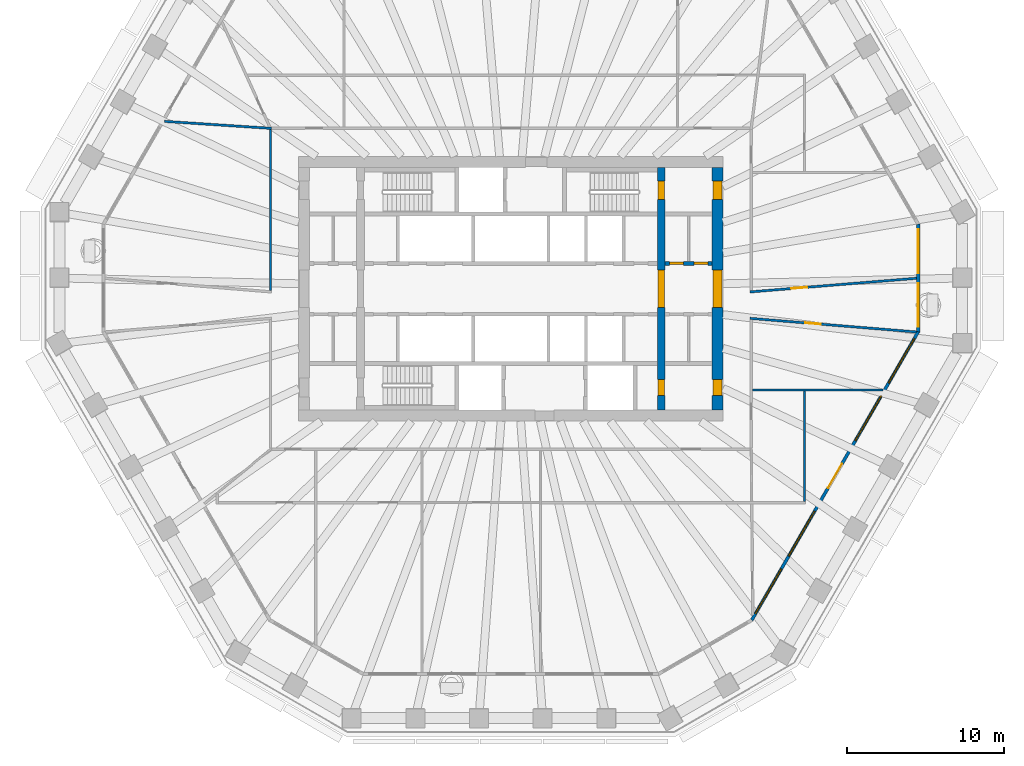
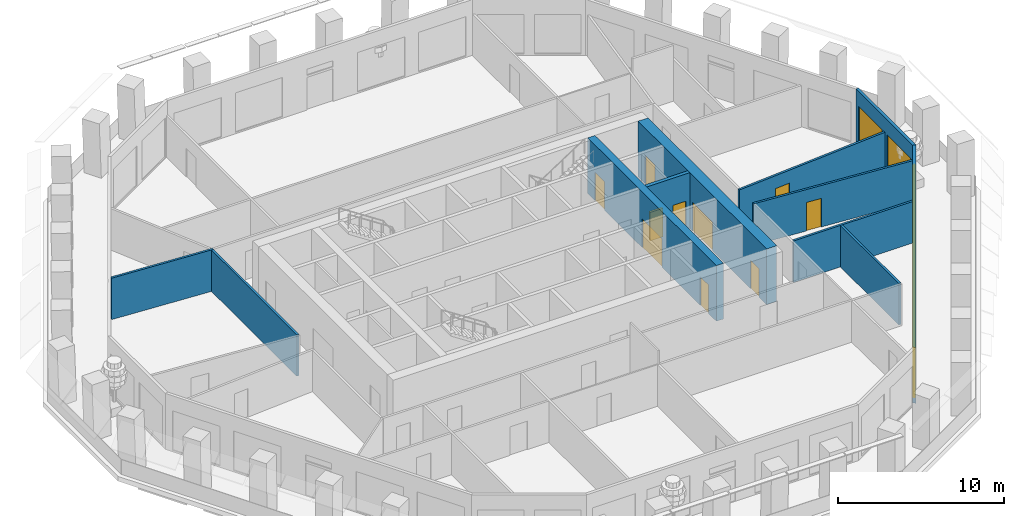
# One storey, part 6 of 13: 11 doors, 11 walls, 7 windows, 18 openings.
"""IFC4 building model written with IfcOpenShell, lengths in metres."""

from ifc_helpers import new_model, si_unit, direction, frame, frame_2d, origin, place, context, subcontext, project, spatial, polyline, rectangle, outline, extrude, material, layer, layer_set, type_object, element, fill, save


model = new_model("IFC4")

# Units and contexts
model_context = context("Model", 3, precision=1e-05, world=origin(), true_north=direction((0.0, 1.0)))
body_context = subcontext(model_context, "Body", "Model", "MODEL_VIEW")
ifc_project = project(units=[si_unit("LENGTHUNIT", "METRE"), si_unit("AREAUNIT", "SQUARE_METRE"), si_unit("VOLUMEUNIT", "CUBIC_METRE"), si_unit("PLANEANGLEUNIT", "RADIAN"), si_unit("MASSUNIT", "GRAM", prefix="KILO")], contexts=[model_context])

# Site, building, storey
site_placement = place(None, origin())
site = spatial("IfcSite", under=ifc_project, at=site_placement, CompositionType="ELEMENT")
building_placement = place(site_placement, origin())
building = spatial("IfcBuilding", under=site, at=building_placement, Name="Frailejon Research Tower", CompositionType="ELEMENT")
storey_placement = place(building_placement, frame((0.0, 0.0, 167.199951171875)))
storey = spatial("IfcBuildingStorey", under=building, at=storey_placement, Name="L36", CompositionType="ELEMENT", Elevation=167.199951171875)

# Wall, openings, doors
ifc_material_1 = material(Name="Concrete C60/75", Category="concrete")
ifc_layer_1 = layer(ifc_material_1, 0.5)
ifc_layer_set_1 = layer_set([ifc_layer_1], Name="Core shear wall 500 C60/75")
wall_type_1 = type_object("IfcWallType", Name="Core shear wall 500 C60/75", PredefinedType="SHEAR", material=ifc_layer_set_1)
wall_1_placement = place(storey_placement, frame((9.60009765625, -7.75, 0.0), z_axis=(0.0, 0.0, 1.0), x_axis=(0.0, 1.0, 0.0)))
wall_1 = element("IfcWall", 1, at=wall_1_placement, inside=storey, type_object=wall_type_1, Name="Core shear wall", PredefinedType="SHEAR", context=body_context, shape_type="SweptSolid", body=[
    extrude(rectangle(XDim=15.5, YDim=0.5, at=frame_2d((7.75, 0.0))), origin(), (0.0, 0.0, 1.0), 4.10009765625),
])
opening_1_placement = place(wall_1_placement, frame((6.550048828125, 0.0, 0.0)))
opening_1 = element("IfcOpeningElement", 2, at=opening_1_placement, cuts=wall_1, Name="Opening D2", PredefinedType="OPENING", context=body_context, shape_type="SweptSolid", body=[
    extrude(rectangle(XDim=2.39990234375, YDim=2.10009765625, at=frame_2d((1.199951171875, 1.050048828125))), frame((0.0, 0.260009765625, 0.0), z_axis=(0.0, -1.0, 0.0), x_axis=(1.0, 0.0, 0.0)), (0.0, 0.0, 1.0), 0.52001953125),
])
opening_2_placement = place(wall_1_placement, frame((13.449951171875, 0.0, 0.0)))
opening_2 = element("IfcOpeningElement", 3, at=opening_2_placement, cuts=wall_1, Name="Opening D1", PredefinedType="OPENING", context=body_context, shape_type="SweptSolid", body=[
    extrude(rectangle(XDim=1.199951171875, YDim=2.10009765625, at=frame_2d((0.60009765625, 1.050048828125))), frame((0.0, 0.260009765625, 0.0), z_axis=(0.0, -1.0, 0.0), x_axis=(1.0, 0.0, 0.0)), (0.0, 0.0, 1.0), 0.52001953125),
])
opening_3_placement = place(wall_1_placement, frame((0.949951171875, 0.0, 0.0)))
opening_3 = element("IfcOpeningElement", 4, at=opening_3_placement, cuts=wall_1, Name="Opening D4", PredefinedType="OPENING", context=body_context, shape_type="SweptSolid", body=[
    extrude(rectangle(XDim=1.0, YDim=2.10009765625, at=frame_2d((0.5, 1.050048828125))), frame((0.0, 0.260009765625, 0.0), z_axis=(0.0, -1.0, 0.0), x_axis=(1.0, 0.0, 0.0)), (0.0, 0.0, 1.0), 0.52001953125),
])
ifc_material_2 = material(Name="Steel", Category="steel")
door_type_1 = type_object("IfcDoorType", Name="Lobby double door", OperationType="DOUBLE_DOOR_SINGLE_SWING", PredefinedType="DOOR", material=ifc_material_2)
door_1_placement = place(opening_1_placement, origin())
door_1 = element("IfcDoor", 5, at=door_1_placement, inside=storey, type_object=door_type_1, Name="Lobby door", OperationType="DOUBLE_DOOR_SINGLE_SWING", OverallHeight=2.10009765625, OverallWidth=2.39990234375, PredefinedType="DOOR", context=body_context, shape_type="SweptSolid", body=[
    extrude(rectangle(XDim=2.39990234375, YDim=2.10009765625, at=frame_2d((1.199951171875, 1.050048828125))), frame((0.0, 0.199951171875, 0.0), z_axis=(0.0, -1.0, 0.0), x_axis=(1.0, 0.0, 0.0)), (0.0, 0.0, 1.0), 0.39990234375),
])
fill(opening_1, door_1)
ifc_material_3 = material(Name="Steel", Category="steel")
door_type_2 = type_object("IfcDoorType", Name="Service door", OperationType="SINGLE_SWING_LEFT", PredefinedType="DOOR", material=ifc_material_3)
door_2_placement = place(opening_3_placement, origin())
door_2 = element("IfcDoor", 6, at=door_2_placement, inside=storey, type_object=door_type_2, Name="Riser door", OperationType="SINGLE_SWING_LEFT", OverallHeight=2.10009765625, OverallWidth=1.0, PredefinedType="DOOR", context=body_context, shape_type="SweptSolid", body=[
    extrude(rectangle(XDim=1.0, YDim=2.10009765625, at=frame_2d((0.5, 1.050048828125))), frame((0.0, 0.199951171875, 0.0), z_axis=(0.0, -1.0, 0.0), x_axis=(1.0, 0.0, 0.0)), (0.0, 0.0, 1.0), 0.39990234375),
])
fill(opening_3, door_2)
ifc_material_4 = material(Name="Steel", Category="steel")
door_type_3 = type_object("IfcDoorType", Name="Stair door", OperationType="SINGLE_SWING_LEFT", PredefinedType="DOOR", material=ifc_material_4)
door_3_placement = place(opening_2_placement, origin())
door_3 = element("IfcDoor", 7, at=door_3_placement, inside=storey, type_object=door_type_3, Name="Stair door ST3", OperationType="SINGLE_SWING_LEFT", OverallHeight=2.10009765625, OverallWidth=1.199951171875, PredefinedType="DOOR", context=body_context, shape_type="SweptSolid", body=[
    extrude(rectangle(XDim=1.199951171875, YDim=2.10009765625, at=frame_2d((0.60009765625, 1.050048828125))), frame((0.0, 0.199951171875, 0.0), z_axis=(0.0, -1.0, 0.0), x_axis=(1.0, 0.0, 0.0)), (0.0, 0.0, 1.0), 0.39990234375),
])
fill(opening_2, door_3)

ifc_material_5 = material(Name="Concrete C60/75", Category="concrete")
ifc_layer_2 = layer(ifc_material_5, 0.699951171875)
ifc_layer_set_2 = layer_set([ifc_layer_2], Name="Core shear wall 700 C60/75")
wall_type_2 = type_object("IfcWallType", Name="Core shear wall 700 C60/75", PredefinedType="SHEAR", material=ifc_layer_set_2)
wall_2_placement = place(storey_placement, frame((13.199951171875, -7.75, 0.0), z_axis=(0.0, 0.0, 1.0), x_axis=(0.0, 1.0, 0.0)))
wall_2 = element("IfcWall", 8, at=wall_2_placement, inside=storey, type_object=wall_type_2, Name="Core shear wall", PredefinedType="SHEAR", context=body_context, shape_type="SweptSolid", body=[
    extrude(rectangle(XDim=15.5, YDim=0.699951171875, at=frame_2d((7.75, 0.0))), origin(), (0.0, 0.0, 1.0), 4.10009765625),
])
opening_4_placement = place(wall_2_placement, frame((6.550048828125, 0.0, 0.0)))
opening_4 = element("IfcOpeningElement", 9, at=opening_4_placement, cuts=wall_2, Name="Opening D2", PredefinedType="OPENING", context=body_context, shape_type="SweptSolid", body=[
    extrude(rectangle(XDim=2.39990234375, YDim=2.10009765625, at=frame_2d((1.199951171875, 1.050048828125))), frame((0.0, 0.35986328125, 0.0), z_axis=(0.0, -1.0, 0.0), x_axis=(1.0, 0.0, 0.0)), (0.0, 0.0, 1.0), 0.719970703125),
])
opening_5_placement = place(wall_2_placement, frame((13.449951171875, 0.0, 0.0)))
opening_5 = element("IfcOpeningElement", 10, at=opening_5_placement, cuts=wall_2, Name="Opening D7", PredefinedType="OPENING", context=body_context, shape_type="SweptSolid", body=[
    extrude(rectangle(XDim=1.199951171875, YDim=2.10009765625, at=frame_2d((0.60009765625, 1.050048828125))), frame((0.0, 0.35986328125, 0.0), z_axis=(0.0, -1.0, 0.0), x_axis=(1.0, 0.0, 0.0)), (0.0, 0.0, 1.0), 0.719970703125),
])
opening_6_placement = place(wall_2_placement, frame((0.949951171875, 0.0, 0.0)))
opening_6 = element("IfcOpeningElement", 11, at=opening_6_placement, cuts=wall_2, Name="Opening D4", PredefinedType="OPENING", context=body_context, shape_type="SweptSolid", body=[
    extrude(rectangle(XDim=1.0, YDim=2.10009765625, at=frame_2d((0.5, 1.050048828125))), frame((0.0, 0.35986328125, 0.0), z_axis=(0.0, -1.0, 0.0), x_axis=(1.0, 0.0, 0.0)), (0.0, 0.0, 1.0), 0.719970703125),
])
door_4_placement = place(opening_4_placement, origin())
door_4 = element("IfcDoor", 12, at=door_4_placement, inside=storey, type_object=door_type_1, Name="Lobby door", OperationType="DOUBLE_DOOR_SINGLE_SWING", OverallHeight=2.10009765625, OverallWidth=2.39990234375, PredefinedType="DOOR", context=body_context, shape_type="SweptSolid", body=[
    extrude(rectangle(XDim=2.39990234375, YDim=2.10009765625, at=frame_2d((1.199951171875, 1.050048828125))), frame((0.0, 0.300048828125, 0.0), z_axis=(0.0, -1.0, 0.0), x_axis=(1.0, 0.0, 0.0)), (0.0, 0.0, 1.0), 0.60009765625),
])
fill(opening_4, door_4)
door_5_placement = place(opening_6_placement, origin())
door_5 = element("IfcDoor", 13, at=door_5_placement, inside=storey, type_object=door_type_2, Name="Store door", OperationType="SINGLE_SWING_RIGHT", OverallHeight=2.10009765625, OverallWidth=1.0, PredefinedType="DOOR", context=body_context, shape_type="SweptSolid", body=[
    extrude(rectangle(XDim=1.0, YDim=2.10009765625, at=frame_2d((0.5, 1.050048828125))), frame((0.0, 0.300048828125, 0.0), z_axis=(0.0, -1.0, 0.0), x_axis=(1.0, 0.0, 0.0)), (0.0, 0.0, 1.0), 0.60009765625),
])
fill(opening_6, door_5)
ifc_material_6 = material(Name="Steel", Category="steel")
door_type_4 = type_object("IfcDoorType", Name="Stair exit door", OperationType="SINGLE_SWING_LEFT", PredefinedType="DOOR", material=ifc_material_6)
door_6_placement = place(opening_5_placement, origin())
door_6 = element("IfcDoor", 14, at=door_6_placement, inside=storey, type_object=door_type_4, Name="Stair exit door ST3", OperationType="SINGLE_SWING_RIGHT", OverallHeight=2.10009765625, OverallWidth=1.199951171875, PredefinedType="DOOR", context=body_context, shape_type="SweptSolid", body=[
    extrude(rectangle(XDim=1.199951171875, YDim=2.10009765625, at=frame_2d((0.60009765625, 1.050048828125))), frame((0.0, 0.300048828125, 0.0), z_axis=(0.0, -1.0, 0.0), x_axis=(1.0, 0.0, 0.0)), (0.0, 0.0, 1.0), 0.60009765625),
])
fill(opening_5, door_6)

# Wall
ifc_material_7 = material(Name="Gypsum board and masonry partition", Category="masonry")
ifc_layer_3 = layer(ifc_material_7, 0.14990234375)
ifc_layer_set_3 = layer_set([ifc_layer_3], Name="Corridor wall EI 60, gypsum on steel studs 150")
wall_type_3 = type_object("IfcWallType", Name="Corridor wall EI 60, gypsum on steel studs 150", PredefinedType="PARTITIONING", material=ifc_layer_set_3)
wall_3_placement = place(storey_placement, frame((-15.35009765625, -0.11572265625, 0.0), z_axis=(0.0, 0.0, 1.0), x_axis=(0.0, 1.0, 0.0)))
element("IfcWall", 15, at=wall_3_placement, inside=storey, type_object=wall_type_3, Name="T:IW:L36:005", PredefinedType="PARTITIONING", context=body_context, shape_type="SweptSolid", body=[
    extrude(rectangle(XDim=10.290771484375, YDim=0.14990234375, at=frame_2d((5.1455078125, 0.0))), origin(), (0.0, 0.0, 1.0), 3.050048828125),
])

# Wall, opening, door
wall_4_placement = place(storey_placement, frame((15.275390625, -0.19677734375, 0.0), z_axis=(0.0, 0.0, 1.0), x_axis=(0.996657796031, 0.081689886835, 0.0)))
wall_4 = element("IfcWall", 16, at=wall_4_placement, inside=storey, type_object=wall_type_3, Name="T:IW:L36:009", PredefinedType="PARTITIONING", context=body_context, shape_type="SweptSolid", body=[
    extrude(rectangle(XDim=10.67236328125, YDim=0.14990234375, at=frame_2d((5.336181640625, 0.0))), origin(), (0.0, 0.0, 1.0), 3.050048828125),
])
opening_7_placement = place(wall_4_placement, frame((2.6494140625, 0.0, 0.0)))
opening_7 = element("IfcOpeningElement", 17, at=opening_7_placement, cuts=wall_4, Name="Opening D1780", PredefinedType="OPENING", context=body_context, shape_type="SweptSolid", body=[
    extrude(rectangle(XDim=1.0, YDim=2.10009765625, at=frame_2d((0.5, 1.050048828125))), frame((0.0, 0.0849609375, 0.0), z_axis=(0.0, -1.0, 0.0), x_axis=(1.0, 0.0, 0.0)), (0.0, 0.0, 1.0), 0.169921875),
])
ifc_material_8 = material(Name="Timber door leaf", Category="wood")
door_type_5 = type_object("IfcDoorType", Name="Door single leaf, timber, steel frame 1000", OperationType="NOTDEFINED", PredefinedType="DOOR", material=ifc_material_8)
door_7_placement = place(opening_7_placement, origin())
door_7 = element("IfcDoor", 18, at=door_7_placement, inside=storey, type_object=door_type_5, Name="D1780", OperationType="SINGLE_SWING_LEFT", OverallHeight=2.10009765625, OverallWidth=1.0, PredefinedType="DOOR", context=body_context, shape_type="SweptSolid", body=[
    extrude(rectangle(XDim=1.0, YDim=2.10009765625, at=frame_2d((0.5, 1.050048828125))), frame((0.0, 0.02490234375, 0.0), z_axis=(0.0, -1.0, 0.0), x_axis=(1.0, 0.0, 0.0)), (0.0, 0.0, 1.0), 0.050048828125),
])
fill(opening_7, door_7)

wall_5_placement = place(storey_placement, frame((15.275390625, -1.884521484375, 0.0), z_axis=(0.0, 0.0, 1.0), x_axis=(0.996658010699, -0.081687267734, 0.0)))
wall_5 = element("IfcWall", 19, at=wall_5_placement, inside=storey, type_object=wall_type_3, Name="T:IW:L36:010", PredefinedType="PARTITIONING", context=body_context, shape_type="SweptSolid", body=[
    extrude(rectangle(XDim=10.65185546875, YDim=0.14990234375, at=frame_2d((5.325927734375, 0.0))), origin(), (0.0, 0.0, 1.0), 3.050048828125),
])
opening_8_placement = place(wall_5_placement, frame((3.531982421875, 0.0, 0.0)))
opening_8 = element("IfcOpeningElement", 20, at=opening_8_placement, cuts=wall_5, Name="Opening D1802", PredefinedType="OPENING", context=body_context, shape_type="SweptSolid", body=[
    extrude(rectangle(XDim=1.0, YDim=2.10009765625, at=frame_2d((0.5, 1.050048828125))), frame((0.0, 0.0849609375, 0.0), z_axis=(0.0, -1.0, 0.0), x_axis=(1.0, 0.0, 0.0)), (0.0, 0.0, 1.0), 0.169921875),
])
ifc_material_9 = material(Name="Timber door leaf", Category="wood")
door_type_6 = type_object("IfcDoorType", Name="Door laboratory, timber, vision panel 1000", OperationType="NOTDEFINED", PredefinedType="DOOR", material=ifc_material_9)
door_8_placement = place(opening_8_placement, origin())
door_8 = element("IfcDoor", 21, at=door_8_placement, inside=storey, type_object=door_type_6, Name="D1802", OperationType="SINGLE_SWING_LEFT", OverallHeight=2.10009765625, OverallWidth=1.0, PredefinedType="DOOR", context=body_context, shape_type="SweptSolid", body=[
    extrude(rectangle(XDim=1.0, YDim=2.10009765625, at=frame_2d((0.5, 1.050048828125))), frame((0.0, 0.02490234375, 0.0), z_axis=(0.0, -1.0, 0.0), x_axis=(1.0, 0.0, 0.0)), (0.0, 0.0, 1.0), 0.050048828125),
])
fill(opening_8, door_8)

# Walls
ifc_material_10 = material(Name="Gypsum board and masonry partition", Category="masonry")
ifc_layer_4 = layer(ifc_material_10, 0.14990234375)
ifc_layer_set_4 = layer_set([ifc_layer_4], Name="Laboratory partition, blockwork 150")
wall_type_4 = type_object("IfcWallType", Name="Laboratory partition, blockwork 150", PredefinedType="PARTITIONING", material=ifc_layer_set_4)
wall_6_placement = place(storey_placement, frame((18.75, -13.574951171875, 0.0), z_axis=(0.0, 0.0, 1.0), x_axis=(0.0, 1.0, 0.0)))
element("IfcWall", 22, at=wall_6_placement, inside=storey, type_object=wall_type_4, Name="T:IW:L36:014", PredefinedType="PARTITIONING", context=body_context, shape_type="SweptSolid", body=[
    extrude(rectangle(XDim=7.036376953125, YDim=0.14990234375, at=frame_2d((3.51806640625, 0.0))), origin(), (0.0, 0.0, 1.0), 3.050048828125),
])
wall_7_placement = place(storey_placement, frame((-22.106689453125, 10.693115234375, 0.0), z_axis=(0.0, 0.0, 1.0), x_axis=(0.997856681849, -0.065437317247, 0.0)))
element("IfcWall", 23, at=wall_7_placement, inside=storey, type_object=wall_type_4, Name="T:IW:L36:020", PredefinedType="PARTITIONING", context=body_context, shape_type="SweptSolid", body=[
    extrude(rectangle(XDim=6.84619140625, YDim=0.14990234375, at=frame_2d((3.423095703125, 0.0))), origin(), (0.0, 0.0, 1.0), 3.050048828125),
])
wall_8_placement = place(storey_placement, frame((15.425048828125, -6.463623046875, 0.0), z_axis=(0.0, 0.0, 1.0), x_axis=(1.0, 0.0, 0.0)))
element("IfcWall", 24, at=wall_8_placement, inside=storey, type_object=wall_type_4, Name="T:IW:L36:029", PredefinedType="PARTITIONING", context=body_context, shape_type="SweptSolid", body=[
    extrude(rectangle(XDim=8.324951171875, YDim=0.14990234375, at=frame_2d((4.16259765625, 0.0))), origin(), (0.0, 0.0, 1.0), 3.050048828125),
])

# Wall, openings, doors
ifc_material_11 = material(Name="Concrete C60/75", Category="concrete")
ifc_layer_5 = layer(ifc_material_11, 0.25)
ifc_layer_set_5 = layer_set([ifc_layer_5], Name="Shaft wall 250 C60/75")
wall_type_5 = type_object("IfcWallType", Name="Shaft wall 250 C60/75", PredefinedType="SOLIDWALL", material=ifc_layer_set_5)
wall_9_placement = place(storey_placement, frame((9.85009765625, 1.625, 0.0), z_axis=(0.0, 0.0, 1.0), x_axis=(1.0, 0.0, 0.0)))
wall_9 = element("IfcWall", 25, at=wall_9_placement, inside=storey, type_object=wall_type_5, Name="Shaft wall", PredefinedType="SOLIDWALL", context=body_context, shape_type="SweptSolid", body=[
    extrude(rectangle(XDim=3.0, YDim=0.25, at=frame_2d((1.5, 0.0))), origin(), (0.0, 0.0, 1.0), 4.10009765625),
])
opening_9_placement = place(wall_9_placement, frame((0.268798828125, 0.0, 0.0)))
opening_9 = element("IfcOpeningElement", 26, at=opening_9_placement, cuts=wall_9, Name="Opening D8", PredefinedType="OPENING", context=body_context, shape_type="SweptSolid", body=[
    extrude(rectangle(XDim=0.89990234375, YDim=2.10009765625, at=frame_2d((0.449951171875, 1.050048828125))), frame((0.0, 0.135009765625, 0.0), z_axis=(0.0, -1.0, 0.0), x_axis=(1.0, 0.0, 0.0)), (0.0, 0.0, 1.0), 0.27001953125),
])
opening_10_placement = place(wall_9_placement, frame((1.831298828125, 0.0, 0.0)))
opening_10 = element("IfcOpeningElement", 27, at=opening_10_placement, cuts=wall_9, Name="Opening D8", PredefinedType="OPENING", context=body_context, shape_type="SweptSolid", body=[
    extrude(rectangle(XDim=0.89990234375, YDim=2.10009765625, at=frame_2d((0.449951171875, 1.050048828125))), frame((0.0, 0.135009765625, 0.0), z_axis=(0.0, -1.0, 0.0), x_axis=(1.0, 0.0, 0.0)), (0.0, 0.0, 1.0), 0.27001953125),
])
ifc_material_12 = material(Name="Steel", Category="steel")
door_type_7 = type_object("IfcDoorType", Name="Core room door", OperationType="SINGLE_SWING_LEFT", PredefinedType="DOOR", material=ifc_material_12)
door_9_placement = place(opening_9_placement, origin())
door_9 = element("IfcDoor", 28, at=door_9_placement, inside=storey, type_object=door_type_7, Name="Room door", OperationType="SINGLE_SWING_LEFT", OverallHeight=2.10009765625, OverallWidth=0.89990234375, PredefinedType="DOOR", context=body_context, shape_type="SweptSolid", body=[
    extrude(rectangle(XDim=0.89990234375, YDim=2.10009765625, at=frame_2d((0.449951171875, 1.050048828125))), frame((0.0, 0.074951171875, 0.0), z_axis=(0.0, -1.0, 0.0), x_axis=(1.0, 0.0, 0.0)), (0.0, 0.0, 1.0), 0.14990234375),
])
fill(opening_9, door_9)
door_10_placement = place(opening_10_placement, origin())
door_10 = element("IfcDoor", 29, at=door_10_placement, inside=storey, type_object=door_type_7, Name="Room door", OperationType="SINGLE_SWING_RIGHT", OverallHeight=2.10009765625, OverallWidth=0.89990234375, PredefinedType="DOOR", context=body_context, shape_type="SweptSolid", body=[
    extrude(rectangle(XDim=0.89990234375, YDim=2.10009765625, at=frame_2d((0.449951171875, 1.050048828125))), frame((0.0, 0.074951171875, 0.0), z_axis=(0.0, -1.0, 0.0), x_axis=(1.0, 0.0, 0.0)), (0.0, 0.0, 1.0), 0.14990234375),
])
fill(opening_10, door_10)

# Wall, openings, windows
ifc_material_13 = material(Name="Concrete C40/50 precast window wall panel", Category="concrete")
ifc_layer_6 = layer(ifc_material_13, 0.199951171875)
ifc_layer_set_6 = layer_set([ifc_layer_6], Name="Window wall 200")
wall_type_6 = type_object("IfcWallType", Name="Window wall 200", PredefinedType="SOLIDWALL", material=ifc_layer_set_6)
wall_10_placement = place(storey_placement, frame((26.011962890625, -2.745849609375, 0.0), z_axis=(0.0, 0.0, 1.0), x_axis=(0.0, 1.0, 0.0)))
wall_10 = element("IfcWall", 30, at=wall_10_placement, inside=storey, type_object=wall_type_6, Name="Exterior wall L36", PredefinedType="SOLIDWALL", context=body_context, shape_type="SweptSolid", body=[
    extrude(outline(polyline([(-0.02685546875, -0.10009765625), (1.1279296875, -0.10009765625), (2.282470703125, -0.10009765625), (3.437255859375, -0.10009765625), (4.592041015625, -0.10009765625), (5.74658203125, -0.10009765625), (6.9013671875, -0.10009765625), (6.84765625, 0.10009765625), (5.7109375, 0.10009765625), (4.573974609375, 0.10009765625), (3.437255859375, 0.10009765625), (2.300537109375, 0.10009765625), (1.16357421875, 0.10009765625), (0.02685546875, 0.10009765625), (-0.02685546875, -0.10009765625)])), origin(), (0.0, 0.0, 1.0), 4.10009765625),
])
opening_11_placement = place(wall_10_placement, frame((0.318603515625, 0.0, 0.10009765625)))
opening_11 = element("IfcOpeningElement", 31, at=opening_11_placement, cuts=wall_10, Name="Opening W3", PredefinedType="OPENING", context=body_context, shape_type="SweptSolid", body=[
    extrude(rectangle(XDim=2.800048828125, YDim=2.89990234375, at=frame_2d((1.39990234375, 1.449951171875))), frame((0.0, 0.10986328125, 0.0), z_axis=(0.0, -1.0, 0.0), x_axis=(1.0, 0.0, 0.0)), (0.0, 0.0, 1.0), 0.219970703125),
])
opening_12_placement = place(wall_10_placement, frame((3.756103515625, 0.0, 0.10009765625)))
opening_12 = element("IfcOpeningElement", 32, at=opening_12_placement, cuts=wall_10, Name="Opening W3", PredefinedType="OPENING", context=body_context, shape_type="SweptSolid", body=[
    extrude(rectangle(XDim=2.800048828125, YDim=2.89990234375, at=frame_2d((1.39990234375, 1.449951171875))), frame((0.0, 0.10986328125, 0.0), z_axis=(0.0, -1.0, 0.0), x_axis=(1.0, 0.0, 0.0)), (0.0, 0.0, 1.0), 0.219970703125),
])
ifc_material_14 = material(Name="Aluminium framed double glazing", Category="aluminium")
window_type_1 = type_object("IfcWindowType", Name="Window 2800x2900", PartitioningType="SINGLE_PANEL", PredefinedType="WINDOW", material=ifc_material_14)
window_1_placement = place(opening_11_placement, origin())
window_1 = element("IfcWindow", 33, at=window_1_placement, inside=storey, type_object=window_type_1, Name="Window L36", OverallHeight=2.89990234375, OverallWidth=2.800048828125, PartitioningType="SINGLE_PANEL", PredefinedType="WINDOW", context=body_context, shape_type="SweptSolid", body=[
    extrude(rectangle(XDim=2.800048828125, YDim=2.89990234375, at=frame_2d((1.39990234375, 1.449951171875))), frame((0.0, 0.030029296875, 0.0), z_axis=(0.0, -1.0, 0.0), x_axis=(1.0, 0.0, 0.0)), (0.0, 0.0, 1.0), 0.06005859375),
])
fill(opening_11, window_1)
window_2_placement = place(opening_12_placement, origin())
window_2 = element("IfcWindow", 34, at=window_2_placement, inside=storey, type_object=window_type_1, Name="Window L36", OverallHeight=2.89990234375, OverallWidth=2.800048828125, PartitioningType="SINGLE_PANEL", PredefinedType="WINDOW", context=body_context, shape_type="SweptSolid", body=[
    extrude(rectangle(XDim=2.800048828125, YDim=2.89990234375, at=frame_2d((1.39990234375, 1.449951171875))), frame((0.0, 0.030029296875, 0.0), z_axis=(0.0, -1.0, 0.0), x_axis=(1.0, 0.0, 0.0)), (0.0, 0.0, 1.0), 0.06005859375),
])
fill(opening_12, window_2)

# Wall, openings, door, windows
wall_11_placement = place(storey_placement, frame((15.384033203125, -21.154052734375, 0.0), z_axis=(0.0, 0.0, 1.0), x_axis=(0.499998188434, 0.86602644969, 0.0)))
wall_11 = element("IfcWall", 35, at=wall_11_placement, inside=storey, type_object=wall_type_6, Name="Exterior wall L36", PredefinedType="SOLIDWALL", context=body_context, shape_type="SweptSolid", body=[
    extrude(outline(polyline([(-0.02685546875, -0.10009765625), (0.98779296875, -0.10009765625), (2.002685546875, -0.10009765625), (3.017333984375, -0.10009765625), (4.0322265625, -0.10009765625), (5.046875, -0.10009765625), (6.0615234375, -0.10009765625), (7.076416015625, -0.10009765625), (8.091064453125, -0.10009765625), (9.105712890625, -0.10009765625), (10.12060546875, -0.10009765625), (11.13525390625, -0.10009765625), (12.150146484375, -0.10009765625), (13.164794921875, -0.10009765625), (14.179443359375, -0.10009765625), (15.1943359375, -0.10009765625), (16.208984375, -0.10009765625), (17.2236328125, -0.10009765625), (18.238525390625, -0.10009765625), (19.253173828125, -0.10009765625), (20.26806640625, -0.10009765625), (21.28271484375, -0.10009765625), (21.22900390625, 0.10009765625), (20.219482421875, 0.10009765625), (19.209716796875, 0.10009765625), (18.2001953125, 0.10009765625), (17.1904296875, 0.10009765625), (16.180908203125, 0.10009765625), (15.171142578125, 0.10009765625), (14.16162109375, 0.10009765625), (13.152099609375, 0.10009765625), (12.142333984375, 0.10009765625), (11.1328125, 0.10009765625), (10.123046875, 0.10009765625), (9.113525390625, 0.10009765625), (8.103759765625, 0.10009765625), (7.09423828125, 0.10009765625), (6.084716796875, 0.10009765625), (5.074951171875, 0.10009765625), (4.0654296875, 0.10009765625), (3.0556640625, 0.10009765625), (2.046142578125, 0.10009765625), (1.036376953125, 0.10009765625), (0.02685546875, 0.10009765625), (-0.02685546875, -0.10009765625)])), origin(), (0.0, 0.0, 1.0), 4.10009765625),
])
opening_13_placement = place(wall_11_placement, frame((0.4755859375, 0.0, 0.10009765625)))
opening_13 = element("IfcOpeningElement", 36, at=opening_13_placement, cuts=wall_11, Name="Opening W5", PredefinedType="OPENING", context=body_context, shape_type="SweptSolid", body=[
    extrude(rectangle(XDim=3.300048828125, YDim=2.89990234375, at=frame_2d((1.64990234375, 1.449951171875))), frame((0.0, 0.10986328125, 0.0), z_axis=(0.0, -1.0, 0.0), x_axis=(1.0, 0.0, 0.0)), (0.0, 0.0, 1.0), 0.219970703125),
])
opening_14_placement = place(wall_11_placement, frame((4.726806640625, 0.0, 0.10009765625)))
opening_14 = element("IfcOpeningElement", 37, at=opening_14_placement, cuts=wall_11, Name="Opening W5", PredefinedType="OPENING", context=body_context, shape_type="SweptSolid", body=[
    extrude(rectangle(XDim=3.300048828125, YDim=2.89990234375, at=frame_2d((1.64990234375, 1.449951171875))), frame((0.0, 0.10986328125, 0.0), z_axis=(0.0, -1.0, 0.0), x_axis=(1.0, 0.0, 0.0)), (0.0, 0.0, 1.0), 0.219970703125),
])
opening_15_placement = place(wall_11_placement, frame((9.727783203125, 0.0, 0.0)))
opening_15 = element("IfcOpeningElement", 38, at=opening_15_placement, cuts=wall_11, Name="Opening LG36-6", PredefinedType="OPENING", context=body_context, shape_type="SweptSolid", body=[
    extrude(rectangle(XDim=1.800048828125, YDim=2.39990234375, at=frame_2d((0.89990234375, 1.199951171875))), frame((0.0, 0.10986328125, 0.0), z_axis=(0.0, -1.0, 0.0), x_axis=(1.0, 0.0, 0.0)), (0.0, 0.0, 1.0), 0.219970703125),
])
opening_16_placement = place(wall_11_placement, frame((9.727783203125, 0.0, 2.550048828125)))
opening_16 = element("IfcOpeningElement", 39, at=opening_16_placement, cuts=wall_11, Name="Opening W1", PredefinedType="OPENING", context=body_context, shape_type="SweptSolid", body=[
    extrude(rectangle(XDim=1.800048828125, YDim=0.449951171875, at=frame_2d((0.89990234375, 0.22509765625))), frame((0.0, 0.10986328125, 0.0), z_axis=(0.0, -1.0, 0.0), x_axis=(1.0, 0.0, 0.0)), (0.0, 0.0, 1.0), 0.219970703125),
])
opening_17_placement = place(wall_11_placement, frame((13.22900390625, 0.0, 0.10009765625)))
opening_17 = element("IfcOpeningElement", 40, at=opening_17_placement, cuts=wall_11, Name="Opening W5", PredefinedType="OPENING", context=body_context, shape_type="SweptSolid", body=[
    extrude(rectangle(XDim=3.300048828125, YDim=2.89990234375, at=frame_2d((1.64990234375, 1.449951171875))), frame((0.0, 0.10986328125, 0.0), z_axis=(0.0, -1.0, 0.0), x_axis=(1.0, 0.0, 0.0)), (0.0, 0.0, 1.0), 0.219970703125),
])
opening_18_placement = place(wall_11_placement, frame((17.480224609375, 0.0, 0.10009765625)))
opening_18 = element("IfcOpeningElement", 41, at=opening_18_placement, cuts=wall_11, Name="Opening W5", PredefinedType="OPENING", context=body_context, shape_type="SweptSolid", body=[
    extrude(rectangle(XDim=3.300048828125, YDim=2.89990234375, at=frame_2d((1.64990234375, 1.449951171875))), frame((0.0, 0.10986328125, 0.0), z_axis=(0.0, -1.0, 0.0), x_axis=(1.0, 0.0, 0.0)), (0.0, 0.0, 1.0), 0.219970703125),
])
ifc_material_15 = material(Name="Aluminium framed glazed door leaf", Category="aluminium")
door_type_8 = type_object("IfcDoorType", Name="Loggia door 1800x2400", OperationType="DOUBLE_DOOR_SINGLE_SWING", PredefinedType="DOOR", material=ifc_material_15)
door_11_placement = place(opening_15_placement, origin())
door_11 = element("IfcDoor", 42, at=door_11_placement, inside=storey, type_object=door_type_8, Name="Door LG36-6", OperationType="DOUBLE_DOOR_SINGLE_SWING", OverallHeight=2.39990234375, OverallWidth=1.800048828125, PredefinedType="DOOR", context=body_context, shape_type="SweptSolid", body=[
    extrude(rectangle(XDim=1.800048828125, YDim=2.39990234375, at=frame_2d((0.89990234375, 1.199951171875))), frame((0.0, 0.02490234375, 0.0), z_axis=(0.0, -1.0, 0.0), x_axis=(1.0, 0.0, 0.0)), (0.0, 0.0, 1.0), 0.050048828125),
])
fill(opening_15, door_11)
ifc_material_16 = material(Name="Aluminium framed double glazing", Category="aluminium")
window_type_2 = type_object("IfcWindowType", Name="Window 1800x450", PartitioningType="SINGLE_PANEL", PredefinedType="WINDOW", material=ifc_material_16)
window_3_placement = place(opening_16_placement, origin())
window_3 = element("IfcWindow", 43, at=window_3_placement, inside=storey, type_object=window_type_2, Name="Window L36", OverallHeight=0.449951171875, OverallWidth=1.800048828125, PartitioningType="SINGLE_PANEL", PredefinedType="WINDOW", context=body_context, shape_type="SweptSolid", body=[
    extrude(rectangle(XDim=1.800048828125, YDim=0.449951171875, at=frame_2d((0.89990234375, 0.22509765625))), frame((0.0, 0.030029296875, 0.0), z_axis=(0.0, -1.0, 0.0), x_axis=(1.0, 0.0, 0.0)), (0.0, 0.0, 1.0), 0.06005859375),
])
fill(opening_16, window_3)
ifc_material_17 = material(Name="Aluminium framed double glazing", Category="aluminium")
window_type_3 = type_object("IfcWindowType", Name="Window 3300x2900", PartitioningType="SINGLE_PANEL", PredefinedType="WINDOW", material=ifc_material_17)
window_4_placement = place(opening_13_placement, origin())
window_4 = element("IfcWindow", 44, at=window_4_placement, inside=storey, type_object=window_type_3, Name="Window L36", OverallHeight=2.89990234375, OverallWidth=3.300048828125, PartitioningType="SINGLE_PANEL", PredefinedType="WINDOW", context=body_context, shape_type="SweptSolid", body=[
    extrude(rectangle(XDim=3.300048828125, YDim=2.89990234375, at=frame_2d((1.64990234375, 1.449951171875))), frame((0.0, 0.030029296875, 0.0), z_axis=(0.0, -1.0, 0.0), x_axis=(1.0, 0.0, 0.0)), (0.0, 0.0, 1.0), 0.06005859375),
])
fill(opening_13, window_4)
window_5_placement = place(opening_14_placement, origin())
window_5 = element("IfcWindow", 45, at=window_5_placement, inside=storey, type_object=window_type_3, Name="Window L36", OverallHeight=2.89990234375, OverallWidth=3.300048828125, PartitioningType="SINGLE_PANEL", PredefinedType="WINDOW", context=body_context, shape_type="SweptSolid", body=[
    extrude(rectangle(XDim=3.300048828125, YDim=2.89990234375, at=frame_2d((1.64990234375, 1.449951171875))), frame((0.0, 0.030029296875, 0.0), z_axis=(0.0, -1.0, 0.0), x_axis=(1.0, 0.0, 0.0)), (0.0, 0.0, 1.0), 0.06005859375),
])
fill(opening_14, window_5)
window_6_placement = place(opening_17_placement, origin())
window_6 = element("IfcWindow", 46, at=window_6_placement, inside=storey, type_object=window_type_3, Name="Window L36", OverallHeight=2.89990234375, OverallWidth=3.300048828125, PartitioningType="SINGLE_PANEL", PredefinedType="WINDOW", context=body_context, shape_type="SweptSolid", body=[
    extrude(rectangle(XDim=3.300048828125, YDim=2.89990234375, at=frame_2d((1.64990234375, 1.449951171875))), frame((0.0, 0.030029296875, 0.0), z_axis=(0.0, -1.0, 0.0), x_axis=(1.0, 0.0, 0.0)), (0.0, 0.0, 1.0), 0.06005859375),
])
fill(opening_17, window_6)
window_7_placement = place(opening_18_placement, origin())
window_7 = element("IfcWindow", 47, at=window_7_placement, inside=storey, type_object=window_type_3, Name="Window L36", OverallHeight=2.89990234375, OverallWidth=3.300048828125, PartitioningType="SINGLE_PANEL", PredefinedType="WINDOW", context=body_context, shape_type="SweptSolid", body=[
    extrude(rectangle(XDim=3.300048828125, YDim=2.89990234375, at=frame_2d((1.64990234375, 1.449951171875))), frame((0.0, 0.030029296875, 0.0), z_axis=(0.0, -1.0, 0.0), x_axis=(1.0, 0.0, 0.0)), (0.0, 0.0, 1.0), 0.06005859375),
])
fill(opening_18, window_7)

save(model, "model.ifc")
